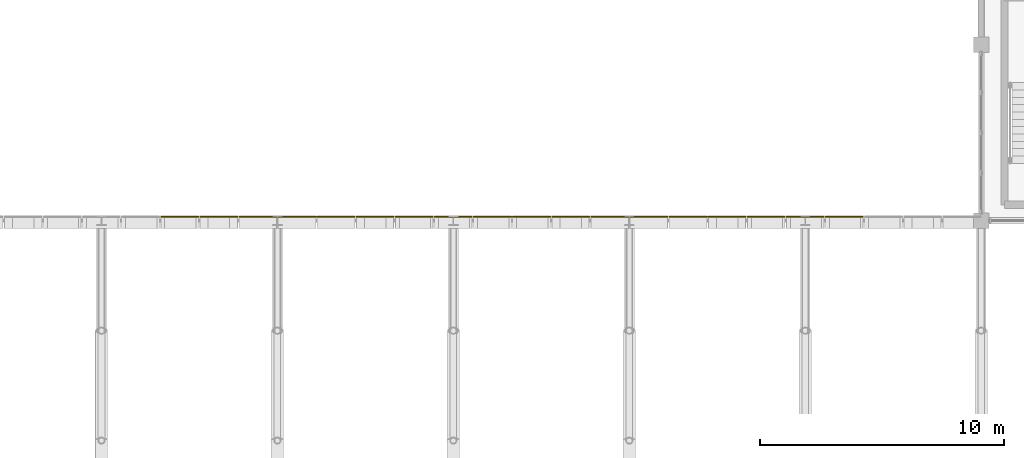
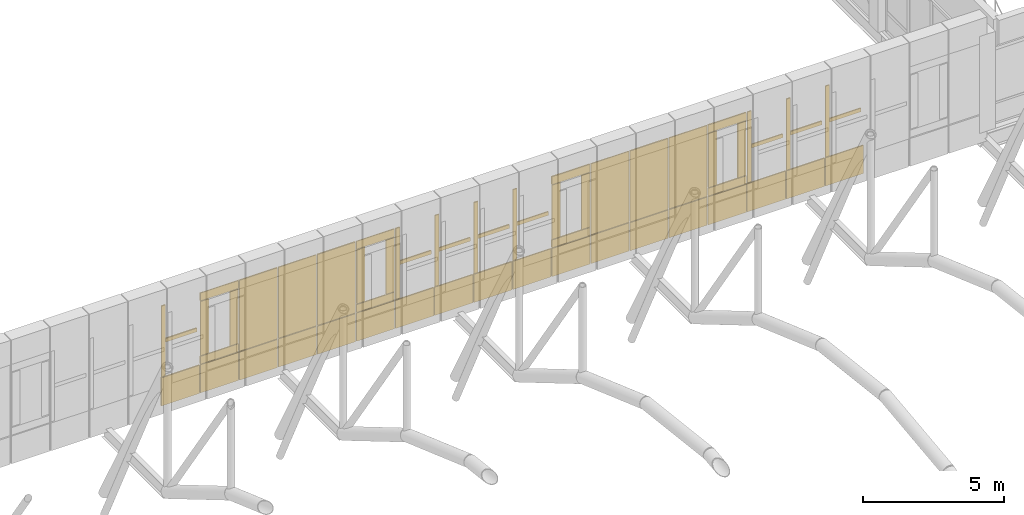
# One storey, part 140 of 144: 56 coverings.
"""IFC4 building model written with IfcOpenShell, lengths in metres."""

from ifc_helpers import new_model, si_unit, direction, frame, origin, origin_2d, place, context, subcontext, project, spatial, rectangle, extrude, material, layer, layer_set, type_object, element, save


model = new_model("IFC4")

# Units and contexts
model_context = context("Model", 3, precision=1e-05, world=origin(), true_north=direction((0.0, 1.0)))
body_context = subcontext(model_context, "Body", "Model", "MODEL_VIEW")
ifc_project = project(units=[si_unit("LENGTHUNIT", "METRE"), si_unit("AREAUNIT", "SQUARE_METRE"), si_unit("VOLUMEUNIT", "CUBIC_METRE"), si_unit("PLANEANGLEUNIT", "RADIAN"), si_unit("MASSUNIT", "GRAM", prefix="KILO")], contexts=[model_context])

# Site, building, storey
site_placement = place(None, origin())
site = spatial("IfcSite", under=ifc_project, at=site_placement, CompositionType="ELEMENT")
building_placement = place(site_placement, origin())
building = spatial("IfcBuilding", under=site, at=building_placement, Name="Yarey Park Central Fire Station", CompositionType="ELEMENT")
storey_placement = place(building_placement, frame((0.0, 0.0, 10.199951171875)))
storey = spatial("IfcBuildingStorey", under=building, at=storey_placement, Name="L03", CompositionType="ELEMENT", Elevation=10.199951171875)

# Coverings
ifc_material = material(Name="Perforated Powder-Coated Aluminium Cladding", Category="aluminium")
ifc_layer_1 = layer(ifc_material, 0.0419921875)
ifc_layer_set_1 = layer_set([ifc_layer_1], Name="Perforated Powder-Coated Aluminium Cladding")
covering_type_1 = type_object("IfcCoveringType", Name="ENV_COV_PERF_1", PredefinedType="CLADDING", material=ifc_layer_set_1)
covering_1_placement = place(storey_placement, frame((84.0, 93.760009765625, -0.43505859375), z_axis=(0.0, 0.0, 1.0), x_axis=(1.0, 0.0, 0.0)))
element("IfcCovering", 1, at=covering_1_placement, inside=storey, type_object=covering_type_1, Name="PERF_L03_1631", PredefinedType="CLADDING", context=body_context, shape_type="SweptSolid", body=[
    extrude(rectangle(XDim=1.56005859375, YDim=0.0419921875, at=origin_2d()), origin(), (0.0, 0.0, 1.0), 1.219970703125),
])
for number, where, z_axis, x_axis, name in (
    (2, (84.0, 93.760009765625, 0.81005859375), (0.0, 0.0, 1.0), (1.0, 0.0, 0.0), "PERF_L03_1632"),
    (3, (84.0, 93.760009765625, 3.5498046875), (0.0, 0.0, 1.0), (1.0, 0.0, 0.0), "PERF_L03_1633"),
):
    element("IfcCovering", number, at=place(storey_placement, frame(where, z_axis=z_axis, x_axis=x_axis)), inside=storey, type_object=covering_type_1, Name=name, PredefinedType="CLADDING", context=body_context, shape_type="SweptSolid", body=[
        extrude(rectangle(XDim=1.56005859375, YDim=0.0419921875, at=origin_2d()), origin(), (0.0, 0.0, 1.0), 0.340087890625),
    ])
for number, where, z_axis, x_axis, name in (
    (4, (83.39990234375, 93.760009765625, 1.175048828125), (0.0, 0.0, 1.0), (1.0, 0.0, 0.0), "PERF_L03_1634"),
    (5, (84.60009765625, 93.760009765625, 1.175048828125), (0.0, 0.0, 1.0), (1.0, 0.0, 0.0), "PERF_L03_1635"),
):
    element("IfcCovering", number, at=place(storey_placement, frame(where, z_axis=z_axis, x_axis=x_axis)), inside=storey, type_object=covering_type_1, Name=name, PredefinedType="CLADDING", context=body_context, shape_type="SweptSolid", body=[
        extrude(rectangle(XDim=0.340087890625, YDim=0.0419921875, at=origin_2d()), origin(), (0.0, 0.0, 1.0), 2.35009765625),
    ])
covering_2_placement = place(storey_placement, frame((87.199951171875, 93.760009765625, -0.43505859375), z_axis=(0.0, 0.0, 1.0), x_axis=(1.0, 0.0, 0.0)))
element("IfcCovering", 6, at=covering_2_placement, inside=storey, type_object=covering_type_1, Name="PERF_L03_1640", PredefinedType="CLADDING", context=body_context, shape_type="SweptSolid", body=[
    extrude(rectangle(XDim=1.56005859375, YDim=0.0419921875, at=origin_2d()), origin(), (0.0, 0.0, 1.0), 1.219970703125),
])
covering_3_placement = place(storey_placement, frame((87.199951171875, 93.760009765625, 0.81494140625), z_axis=(0.0, 0.0, 1.0), x_axis=(1.0, 0.0, 0.0)))
element("IfcCovering", 7, at=covering_3_placement, inside=storey, type_object=covering_type_1, Name="PERF_L03_1641", PredefinedType="CLADDING", context=body_context, shape_type="SweptSolid", body=[
    extrude(rectangle(XDim=1.56005859375, YDim=0.0419921875, at=origin_2d()), origin(), (0.0, 0.0, 1.0), 3.070068359375),
])
covering_4_placement = place(storey_placement, frame((90.39990234375, 93.760009765625, -0.43505859375), z_axis=(0.0, 0.0, 1.0), x_axis=(1.0, 0.0, 0.0)))
element("IfcCovering", 8, at=covering_4_placement, inside=storey, type_object=covering_type_1, Name="PERF_L03_1646", PredefinedType="CLADDING", context=body_context, shape_type="SweptSolid", body=[
    extrude(rectangle(XDim=1.56005859375, YDim=0.0419921875, at=origin_2d()), origin(), (0.0, 0.0, 1.0), 1.219970703125),
])
for number, where, z_axis, x_axis, name in (
    (9, (90.39990234375, 93.760009765625, 0.81005859375), (0.0, 0.0, 1.0), (1.0, 0.0, 0.0), "PERF_L03_1647"),
    (10, (90.39990234375, 93.760009765625, 3.5498046875), (0.0, 0.0, 1.0), (1.0, 0.0, 0.0), "PERF_L03_1648"),
):
    element("IfcCovering", number, at=place(storey_placement, frame(where, z_axis=z_axis, x_axis=x_axis)), inside=storey, type_object=covering_type_1, Name=name, PredefinedType="CLADDING", context=body_context, shape_type="SweptSolid", body=[
        extrude(rectangle(XDim=1.56005859375, YDim=0.0419921875, at=origin_2d()), origin(), (0.0, 0.0, 1.0), 0.340087890625),
    ])
for number, where, z_axis, x_axis, name in (
    (11, (89.800048828125, 93.760009765625, 1.175048828125), (0.0, 0.0, 1.0), (1.0, 0.0, 0.0), "PERF_L03_1649"),
    (12, (91.0, 93.760009765625, 1.175048828125), (0.0, 0.0, 1.0), (1.0, 0.0, 0.0), "PERF_L03_1650"),
):
    element("IfcCovering", number, at=place(storey_placement, frame(where, z_axis=z_axis, x_axis=x_axis)), inside=storey, type_object=covering_type_1, Name=name, PredefinedType="CLADDING", context=body_context, shape_type="SweptSolid", body=[
        extrude(rectangle(XDim=0.340087890625, YDim=0.0419921875, at=origin_2d()), origin(), (0.0, 0.0, 1.0), 2.35009765625),
    ])
covering_5_placement = place(storey_placement, frame((93.60009765625, 93.760009765625, -0.43505859375), z_axis=(0.0, 0.0, 1.0), x_axis=(1.0, 0.0, 0.0)))
element("IfcCovering", 13, at=covering_5_placement, inside=storey, type_object=covering_type_1, Name="PERF_L03_1656", PredefinedType="CLADDING", context=body_context, shape_type="SweptSolid", body=[
    extrude(rectangle(XDim=1.56005859375, YDim=0.0419921875, at=origin_2d()), origin(), (0.0, 0.0, 1.0), 1.219970703125),
])
covering_6_placement = place(storey_placement, frame((92.909912109375, 93.760009765625, 0.81494140625), z_axis=(0.0, 0.0, 1.0), x_axis=(1.0, 0.0, 0.0)))
element("IfcCovering", 14, at=covering_6_placement, inside=storey, type_object=covering_type_1, Name="PERF_L03_1657", PredefinedType="CLADDING", context=body_context, shape_type="SweptSolid", body=[
    extrude(rectangle(XDim=0.159912109375, YDim=0.0419921875, at=origin_2d()), origin(), (0.0, 0.0, 1.0), 3.070068359375),
])
covering_7_placement = place(storey_placement, frame((93.60009765625, 93.760009765625, 2.27001953125), z_axis=(0.0, 0.0, 1.0), x_axis=(1.0, 0.0, 0.0)))
element("IfcCovering", 15, at=covering_7_placement, inside=storey, type_object=covering_type_1, Name="PERF_L03_1658", PredefinedType="CLADDING", context=body_context, shape_type="SweptSolid", body=[
    extrude(rectangle(XDim=1.360107421875, YDim=0.0419921875, at=origin_2d()), origin(), (0.0, 0.0, 1.0), 0.159912109375),
])
covering_8_placement = place(storey_placement, frame((96.800048828125, 93.760009765625, -0.43505859375), z_axis=(0.0, 0.0, 1.0), x_axis=(1.0, 0.0, 0.0)))
element("IfcCovering", 16, at=covering_8_placement, inside=storey, type_object=covering_type_1, Name="PERF_L03_1664", PredefinedType="CLADDING", context=body_context, shape_type="SweptSolid", body=[
    extrude(rectangle(XDim=1.56005859375, YDim=0.0419921875, at=origin_2d()), origin(), (0.0, 0.0, 1.0), 1.219970703125),
])
covering_9_placement = place(storey_placement, frame((96.110107421875, 93.760009765625, 0.81494140625), z_axis=(0.0, 0.0, 1.0), x_axis=(1.0, 0.0, 0.0)))
element("IfcCovering", 17, at=covering_9_placement, inside=storey, type_object=covering_type_1, Name="PERF_L03_1665", PredefinedType="CLADDING", context=body_context, shape_type="SweptSolid", body=[
    extrude(rectangle(XDim=0.159912109375, YDim=0.0419921875, at=origin_2d()), origin(), (0.0, 0.0, 1.0), 3.070068359375),
])
covering_10_placement = place(storey_placement, frame((96.800048828125, 93.760009765625, 2.27001953125), z_axis=(0.0, 0.0, 1.0), x_axis=(1.0, 0.0, 0.0)))
element("IfcCovering", 18, at=covering_10_placement, inside=storey, type_object=covering_type_1, Name="PERF_L03_1666", PredefinedType="CLADDING", context=body_context, shape_type="SweptSolid", body=[
    extrude(rectangle(XDim=1.360107421875, YDim=0.0419921875, at=origin_2d()), origin(), (0.0, 0.0, 1.0), 0.159912109375),
])
covering_11_placement = place(storey_placement, frame((100.0, 93.760009765625, -0.43505859375), z_axis=(0.0, 0.0, 1.0), x_axis=(1.0, 0.0, 0.0)))
element("IfcCovering", 19, at=covering_11_placement, inside=storey, type_object=covering_type_1, Name="PERF_L03_1674", PredefinedType="CLADDING", context=body_context, shape_type="SweptSolid", body=[
    extrude(rectangle(XDim=1.56005859375, YDim=0.0419921875, at=origin_2d()), origin(), (0.0, 0.0, 1.0), 1.219970703125),
])
covering_12_placement = place(storey_placement, frame((100.0, 93.760009765625, 0.81494140625), z_axis=(0.0, 0.0, 1.0), x_axis=(1.0, 0.0, 0.0)))
element("IfcCovering", 20, at=covering_12_placement, inside=storey, type_object=covering_type_1, Name="PERF_L03_1675", PredefinedType="CLADDING", context=body_context, shape_type="SweptSolid", body=[
    extrude(rectangle(XDim=1.56005859375, YDim=0.0419921875, at=origin_2d()), origin(), (0.0, 0.0, 1.0), 3.070068359375),
])
covering_13_placement = place(storey_placement, frame((103.199951171875, 93.760009765625, -0.43505859375), z_axis=(0.0, 0.0, 1.0), x_axis=(1.0, 0.0, 0.0)))
element("IfcCovering", 21, at=covering_13_placement, inside=storey, type_object=covering_type_1, Name="PERF_L03_1680", PredefinedType="CLADDING", context=body_context, shape_type="SweptSolid", body=[
    extrude(rectangle(XDim=1.56005859375, YDim=0.0419921875, at=origin_2d()), origin(), (0.0, 0.0, 1.0), 1.219970703125),
])
covering_14_placement = place(storey_placement, frame((103.199951171875, 93.760009765625, 0.81494140625), z_axis=(0.0, 0.0, 1.0), x_axis=(1.0, 0.0, 0.0)))
element("IfcCovering", 22, at=covering_14_placement, inside=storey, type_object=covering_type_1, Name="PERF_L03_1681", PredefinedType="CLADDING", context=body_context, shape_type="SweptSolid", body=[
    extrude(rectangle(XDim=1.56005859375, YDim=0.0419921875, at=origin_2d()), origin(), (0.0, 0.0, 1.0), 3.070068359375),
])
covering_15_placement = place(storey_placement, frame((106.39990234375, 93.760009765625, -0.43505859375), z_axis=(0.0, 0.0, 1.0), x_axis=(1.0, 0.0, 0.0)))
element("IfcCovering", 23, at=covering_15_placement, inside=storey, type_object=covering_type_1, Name="PERF_L03_1689", PredefinedType="CLADDING", context=body_context, shape_type="SweptSolid", body=[
    extrude(rectangle(XDim=1.56005859375, YDim=0.0419921875, at=origin_2d()), origin(), (0.0, 0.0, 1.0), 1.219970703125),
])
covering_16_placement = place(storey_placement, frame((105.7099609375, 93.760009765625, 0.81494140625), z_axis=(0.0, 0.0, 1.0), x_axis=(1.0, 0.0, 0.0)))
element("IfcCovering", 24, at=covering_16_placement, inside=storey, type_object=covering_type_1, Name="PERF_L03_1690", PredefinedType="CLADDING", context=body_context, shape_type="SweptSolid", body=[
    extrude(rectangle(XDim=0.159912109375, YDim=0.0419921875, at=origin_2d()), origin(), (0.0, 0.0, 1.0), 3.070068359375),
])
covering_17_placement = place(storey_placement, frame((106.39990234375, 93.760009765625, 2.27001953125), z_axis=(0.0, 0.0, 1.0), x_axis=(1.0, 0.0, 0.0)))
element("IfcCovering", 25, at=covering_17_placement, inside=storey, type_object=covering_type_1, Name="PERF_L03_1691", PredefinedType="CLADDING", context=body_context, shape_type="SweptSolid", body=[
    extrude(rectangle(XDim=1.360107421875, YDim=0.0419921875, at=origin_2d()), origin(), (0.0, 0.0, 1.0), 0.159912109375),
])
covering_18_placement = place(storey_placement, frame((109.60009765625, 93.760009765625, -0.43505859375), z_axis=(0.0, 0.0, 1.0), x_axis=(1.0, 0.0, 0.0)))
element("IfcCovering", 26, at=covering_18_placement, inside=storey, type_object=covering_type_1, Name="PERF_L03_1697", PredefinedType="CLADDING", context=body_context, shape_type="SweptSolid", body=[
    extrude(rectangle(XDim=1.56005859375, YDim=0.0419921875, at=origin_2d()), origin(), (0.0, 0.0, 1.0), 1.219970703125),
])
covering_19_placement = place(storey_placement, frame((108.909912109375, 93.760009765625, 0.81494140625), z_axis=(0.0, 0.0, 1.0), x_axis=(1.0, 0.0, 0.0)))
element("IfcCovering", 27, at=covering_19_placement, inside=storey, type_object=covering_type_1, Name="PERF_L03_1698", PredefinedType="CLADDING", context=body_context, shape_type="SweptSolid", body=[
    extrude(rectangle(XDim=0.159912109375, YDim=0.0419921875, at=origin_2d()), origin(), (0.0, 0.0, 1.0), 3.070068359375),
])
covering_20_placement = place(storey_placement, frame((109.60009765625, 93.760009765625, 2.27001953125), z_axis=(0.0, 0.0, 1.0), x_axis=(1.0, 0.0, 0.0)))
element("IfcCovering", 28, at=covering_20_placement, inside=storey, type_object=covering_type_1, Name="PERF_L03_1699", PredefinedType="CLADDING", context=body_context, shape_type="SweptSolid", body=[
    extrude(rectangle(XDim=1.360107421875, YDim=0.0419921875, at=origin_2d()), origin(), (0.0, 0.0, 1.0), 0.159912109375),
])
ifc_layer_2 = layer(ifc_material, 0.053955078125)
ifc_layer_set_2 = layer_set([ifc_layer_2], Name="Perforated Powder-Coated Aluminium Cladding")
covering_type_2 = type_object("IfcCoveringType", Name="ENV_COV_PERF_2", PredefinedType="CLADDING", material=ifc_layer_set_2)
covering_21_placement = place(storey_placement, frame((82.39990234375, 93.760009765625, -0.43505859375), z_axis=(0.0, 0.0, 1.0), x_axis=(1.0, 0.0, 0.0)))
element("IfcCovering", 29, at=covering_21_placement, inside=storey, type_object=covering_type_2, Name="PERF_L03_1627", PredefinedType="CLADDING", context=body_context, shape_type="SweptSolid", body=[
    extrude(rectangle(XDim=1.56005859375, YDim=0.053955078125, at=origin_2d()), origin(), (0.0, 0.0, 1.0), 1.219970703125),
])
covering_22_placement = place(storey_placement, frame((81.7099609375, 93.760009765625, 0.81494140625), z_axis=(0.0, 0.0, 1.0), x_axis=(1.0, 0.0, 0.0)))
element("IfcCovering", 30, at=covering_22_placement, inside=storey, type_object=covering_type_2, Name="PERF_L03_1628", PredefinedType="CLADDING", context=body_context, shape_type="SweptSolid", body=[
    extrude(rectangle(XDim=0.159912109375, YDim=0.053955078125, at=origin_2d()), origin(), (0.0, 0.0, 1.0), 3.070068359375),
])
covering_23_placement = place(storey_placement, frame((82.39990234375, 93.760009765625, 2.27001953125), z_axis=(0.0, 0.0, 1.0), x_axis=(1.0, 0.0, 0.0)))
element("IfcCovering", 31, at=covering_23_placement, inside=storey, type_object=covering_type_2, Name="PERF_L03_1629", PredefinedType="CLADDING", context=body_context, shape_type="SweptSolid", body=[
    extrude(rectangle(XDim=1.360107421875, YDim=0.053955078125, at=origin_2d()), origin(), (0.0, 0.0, 1.0), 0.159912109375),
])
covering_24_placement = place(storey_placement, frame((85.60009765625, 93.760009765625, -0.43505859375), z_axis=(0.0, 0.0, 1.0), x_axis=(1.0, 0.0, 0.0)))
element("IfcCovering", 32, at=covering_24_placement, inside=storey, type_object=covering_type_2, Name="PERF_L03_1637", PredefinedType="CLADDING", context=body_context, shape_type="SweptSolid", body=[
    extrude(rectangle(XDim=1.56005859375, YDim=0.053955078125, at=origin_2d()), origin(), (0.0, 0.0, 1.0), 1.219970703125),
])
covering_25_placement = place(storey_placement, frame((85.60009765625, 93.760009765625, 0.81494140625), z_axis=(0.0, 0.0, 1.0), x_axis=(1.0, 0.0, 0.0)))
element("IfcCovering", 33, at=covering_25_placement, inside=storey, type_object=covering_type_2, Name="PERF_L03_1638", PredefinedType="CLADDING", context=body_context, shape_type="SweptSolid", body=[
    extrude(rectangle(XDim=1.56005859375, YDim=0.053955078125, at=origin_2d()), origin(), (0.0, 0.0, 1.0), 3.070068359375),
])
covering_26_placement = place(storey_placement, frame((88.800048828125, 93.760009765625, -0.43505859375), z_axis=(0.0, 0.0, 1.0), x_axis=(1.0, 0.0, 0.0)))
element("IfcCovering", 34, at=covering_26_placement, inside=storey, type_object=covering_type_2, Name="PERF_L03_1643", PredefinedType="CLADDING", context=body_context, shape_type="SweptSolid", body=[
    extrude(rectangle(XDim=1.56005859375, YDim=0.053955078125, at=origin_2d()), origin(), (0.0, 0.0, 1.0), 1.219970703125),
])
covering_27_placement = place(storey_placement, frame((88.800048828125, 93.760009765625, 0.81494140625), z_axis=(0.0, 0.0, 1.0), x_axis=(1.0, 0.0, 0.0)))
element("IfcCovering", 35, at=covering_27_placement, inside=storey, type_object=covering_type_2, Name="PERF_L03_1644", PredefinedType="CLADDING", context=body_context, shape_type="SweptSolid", body=[
    extrude(rectangle(XDim=1.56005859375, YDim=0.053955078125, at=origin_2d()), origin(), (0.0, 0.0, 1.0), 3.070068359375),
])
covering_28_placement = place(storey_placement, frame((92.0, 93.760009765625, -0.43505859375), z_axis=(0.0, 0.0, 1.0), x_axis=(1.0, 0.0, 0.0)))
element("IfcCovering", 36, at=covering_28_placement, inside=storey, type_object=covering_type_2, Name="PERF_L03_1652", PredefinedType="CLADDING", context=body_context, shape_type="SweptSolid", body=[
    extrude(rectangle(XDim=1.56005859375, YDim=0.053955078125, at=origin_2d()), origin(), (0.0, 0.0, 1.0), 1.219970703125),
])
covering_29_placement = place(storey_placement, frame((91.31005859375, 93.760009765625, 0.81494140625), z_axis=(0.0, 0.0, 1.0), x_axis=(1.0, 0.0, 0.0)))
element("IfcCovering", 37, at=covering_29_placement, inside=storey, type_object=covering_type_2, Name="PERF_L03_1653", PredefinedType="CLADDING", context=body_context, shape_type="SweptSolid", body=[
    extrude(rectangle(XDim=0.159912109375, YDim=0.053955078125, at=origin_2d()), origin(), (0.0, 0.0, 1.0), 3.070068359375),
])
covering_30_placement = place(storey_placement, frame((92.0, 93.760009765625, 2.27001953125), z_axis=(0.0, 0.0, 1.0), x_axis=(1.0, 0.0, 0.0)))
element("IfcCovering", 38, at=covering_30_placement, inside=storey, type_object=covering_type_2, Name="PERF_L03_1654", PredefinedType="CLADDING", context=body_context, shape_type="SweptSolid", body=[
    extrude(rectangle(XDim=1.360107421875, YDim=0.053955078125, at=origin_2d()), origin(), (0.0, 0.0, 1.0), 0.159912109375),
])
covering_31_placement = place(storey_placement, frame((95.199951171875, 93.760009765625, -0.43505859375), z_axis=(0.0, 0.0, 1.0), x_axis=(1.0, 0.0, 0.0)))
element("IfcCovering", 39, at=covering_31_placement, inside=storey, type_object=covering_type_2, Name="PERF_L03_1660", PredefinedType="CLADDING", context=body_context, shape_type="SweptSolid", body=[
    extrude(rectangle(XDim=1.56005859375, YDim=0.053955078125, at=origin_2d()), origin(), (0.0, 0.0, 1.0), 1.219970703125),
])
covering_32_placement = place(storey_placement, frame((94.510009765625, 93.760009765625, 0.81494140625), z_axis=(0.0, 0.0, 1.0), x_axis=(1.0, 0.0, 0.0)))
element("IfcCovering", 40, at=covering_32_placement, inside=storey, type_object=covering_type_2, Name="PERF_L03_1661", PredefinedType="CLADDING", context=body_context, shape_type="SweptSolid", body=[
    extrude(rectangle(XDim=0.159912109375, YDim=0.053955078125, at=origin_2d()), origin(), (0.0, 0.0, 1.0), 3.070068359375),
])
covering_33_placement = place(storey_placement, frame((95.199951171875, 93.760009765625, 2.27001953125), z_axis=(0.0, 0.0, 1.0), x_axis=(1.0, 0.0, 0.0)))
element("IfcCovering", 41, at=covering_33_placement, inside=storey, type_object=covering_type_2, Name="PERF_L03_1662", PredefinedType="CLADDING", context=body_context, shape_type="SweptSolid", body=[
    extrude(rectangle(XDim=1.360107421875, YDim=0.053955078125, at=origin_2d()), origin(), (0.0, 0.0, 1.0), 0.159912109375),
])
covering_34_placement = place(storey_placement, frame((98.39990234375, 93.760009765625, -0.43505859375), z_axis=(0.0, 0.0, 1.0), x_axis=(1.0, 0.0, 0.0)))
element("IfcCovering", 42, at=covering_34_placement, inside=storey, type_object=covering_type_2, Name="PERF_L03_1668", PredefinedType="CLADDING", context=body_context, shape_type="SweptSolid", body=[
    extrude(rectangle(XDim=1.56005859375, YDim=0.053955078125, at=origin_2d()), origin(), (0.0, 0.0, 1.0), 1.219970703125),
])
for number, where, z_axis, x_axis, name in (
    (43, (98.39990234375, 93.760009765625, 0.81005859375), (0.0, 0.0, 1.0), (1.0, 0.0, 0.0), "PERF_L03_1669"),
    (44, (98.39990234375, 93.760009765625, 3.5498046875), (0.0, 0.0, 1.0), (1.0, 0.0, 0.0), "PERF_L03_1670"),
):
    element("IfcCovering", number, at=place(storey_placement, frame(where, z_axis=z_axis, x_axis=x_axis)), inside=storey, type_object=covering_type_2, Name=name, PredefinedType="CLADDING", context=body_context, shape_type="SweptSolid", body=[
        extrude(rectangle(XDim=1.56005859375, YDim=0.053955078125, at=origin_2d()), origin(), (0.0, 0.0, 1.0), 0.340087890625),
    ])
for number, where, z_axis, x_axis, name in (
    (45, (97.800048828125, 93.760009765625, 1.175048828125), (0.0, 0.0, 1.0), (1.0, 0.0, 0.0), "PERF_L03_1671"),
    (46, (99.0, 93.760009765625, 1.175048828125), (0.0, 0.0, 1.0), (1.0, 0.0, 0.0), "PERF_L03_1672"),
):
    element("IfcCovering", number, at=place(storey_placement, frame(where, z_axis=z_axis, x_axis=x_axis)), inside=storey, type_object=covering_type_2, Name=name, PredefinedType="CLADDING", context=body_context, shape_type="SweptSolid", body=[
        extrude(rectangle(XDim=0.340087890625, YDim=0.053955078125, at=origin_2d()), origin(), (0.0, 0.0, 1.0), 2.35009765625),
    ])
covering_35_placement = place(storey_placement, frame((101.60009765625, 93.760009765625, -0.43505859375), z_axis=(0.0, 0.0, 1.0), x_axis=(1.0, 0.0, 0.0)))
element("IfcCovering", 47, at=covering_35_placement, inside=storey, type_object=covering_type_2, Name="PERF_L03_1677", PredefinedType="CLADDING", context=body_context, shape_type="SweptSolid", body=[
    extrude(rectangle(XDim=1.56005859375, YDim=0.053955078125, at=origin_2d()), origin(), (0.0, 0.0, 1.0), 1.219970703125),
])
covering_36_placement = place(storey_placement, frame((101.60009765625, 93.760009765625, 0.81494140625), z_axis=(0.0, 0.0, 1.0), x_axis=(1.0, 0.0, 0.0)))
element("IfcCovering", 48, at=covering_36_placement, inside=storey, type_object=covering_type_2, Name="PERF_L03_1678", PredefinedType="CLADDING", context=body_context, shape_type="SweptSolid", body=[
    extrude(rectangle(XDim=1.56005859375, YDim=0.053955078125, at=origin_2d()), origin(), (0.0, 0.0, 1.0), 3.070068359375),
])
covering_37_placement = place(storey_placement, frame((104.800048828125, 93.760009765625, -0.43505859375), z_axis=(0.0, 0.0, 1.0), x_axis=(1.0, 0.0, 0.0)))
element("IfcCovering", 49, at=covering_37_placement, inside=storey, type_object=covering_type_2, Name="PERF_L03_1683", PredefinedType="CLADDING", context=body_context, shape_type="SweptSolid", body=[
    extrude(rectangle(XDim=1.56005859375, YDim=0.053955078125, at=origin_2d()), origin(), (0.0, 0.0, 1.0), 1.219970703125),
])
for number, where, z_axis, x_axis, name in (
    (50, (104.800048828125, 93.760009765625, 0.81005859375), (0.0, 0.0, 1.0), (1.0, 0.0, 0.0), "PERF_L03_1684"),
    (51, (104.800048828125, 93.760009765625, 3.5498046875), (0.0, 0.0, 1.0), (1.0, 0.0, 0.0), "PERF_L03_1685"),
):
    element("IfcCovering", number, at=place(storey_placement, frame(where, z_axis=z_axis, x_axis=x_axis)), inside=storey, type_object=covering_type_2, Name=name, PredefinedType="CLADDING", context=body_context, shape_type="SweptSolid", body=[
        extrude(rectangle(XDim=1.56005859375, YDim=0.053955078125, at=origin_2d()), origin(), (0.0, 0.0, 1.0), 0.340087890625),
    ])
for number, where, z_axis, x_axis, name in (
    (52, (104.199951171875, 93.760009765625, 1.175048828125), (0.0, 0.0, 1.0), (1.0, 0.0, 0.0), "PERF_L03_1686"),
    (53, (105.39990234375, 93.760009765625, 1.175048828125), (0.0, 0.0, 1.0), (1.0, 0.0, 0.0), "PERF_L03_1687"),
):
    element("IfcCovering", number, at=place(storey_placement, frame(where, z_axis=z_axis, x_axis=x_axis)), inside=storey, type_object=covering_type_2, Name=name, PredefinedType="CLADDING", context=body_context, shape_type="SweptSolid", body=[
        extrude(rectangle(XDim=0.340087890625, YDim=0.053955078125, at=origin_2d()), origin(), (0.0, 0.0, 1.0), 2.35009765625),
    ])
covering_38_placement = place(storey_placement, frame((108.0, 93.760009765625, -0.43505859375), z_axis=(0.0, 0.0, 1.0), x_axis=(1.0, 0.0, 0.0)))
element("IfcCovering", 54, at=covering_38_placement, inside=storey, type_object=covering_type_2, Name="PERF_L03_1693", PredefinedType="CLADDING", context=body_context, shape_type="SweptSolid", body=[
    extrude(rectangle(XDim=1.56005859375, YDim=0.053955078125, at=origin_2d()), origin(), (0.0, 0.0, 1.0), 1.219970703125),
])
covering_39_placement = place(storey_placement, frame((107.31005859375, 93.760009765625, 0.81494140625), z_axis=(0.0, 0.0, 1.0), x_axis=(1.0, 0.0, 0.0)))
element("IfcCovering", 55, at=covering_39_placement, inside=storey, type_object=covering_type_2, Name="PERF_L03_1694", PredefinedType="CLADDING", context=body_context, shape_type="SweptSolid", body=[
    extrude(rectangle(XDim=0.159912109375, YDim=0.053955078125, at=origin_2d()), origin(), (0.0, 0.0, 1.0), 3.070068359375),
])
covering_40_placement = place(storey_placement, frame((108.0, 93.760009765625, 2.27001953125), z_axis=(0.0, 0.0, 1.0), x_axis=(1.0, 0.0, 0.0)))
element("IfcCovering", 56, at=covering_40_placement, inside=storey, type_object=covering_type_2, Name="PERF_L03_1695", PredefinedType="CLADDING", context=body_context, shape_type="SweptSolid", body=[
    extrude(rectangle(XDim=1.360107421875, YDim=0.053955078125, at=origin_2d()), origin(), (0.0, 0.0, 1.0), 0.159912109375),
])

save(model, "model.ifc")
